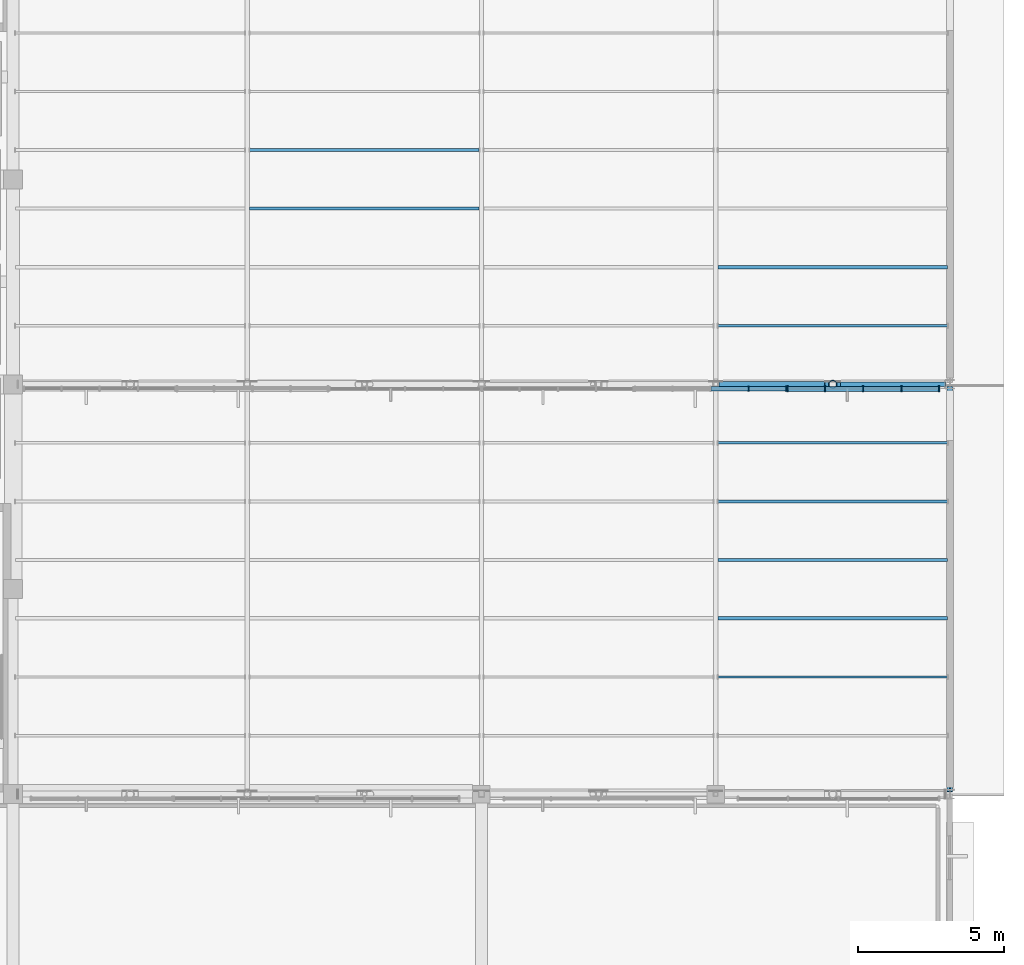
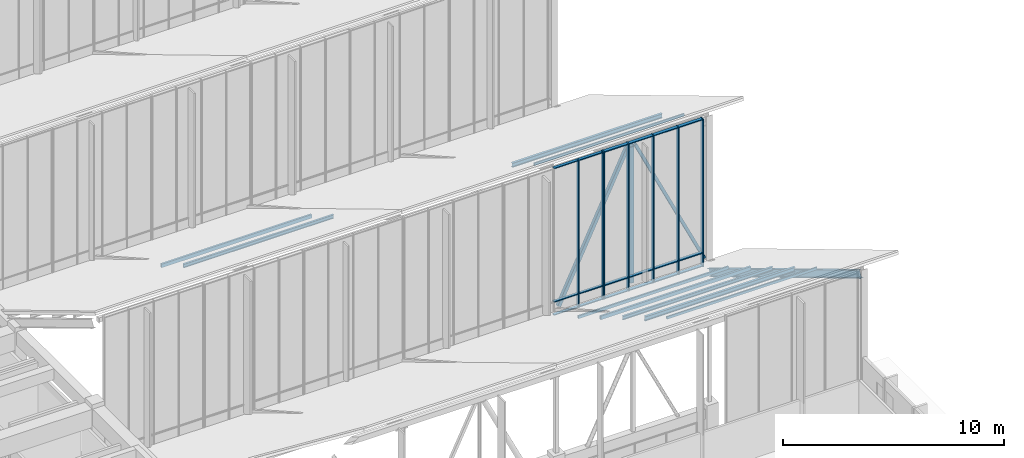
# One storey, part 44 of 155: 37 members, 1 beam, 2 elements without a shape of their own.
"""IFC4 building model written with IfcOpenShell, lengths in metres."""

from ifc_helpers import new_model, si_unit, direction, frame, origin, origin_2d, place, context, subcontext, project, spatial, rectangle, hollow_rectangle, hollow_circle, i_section, extrude, material, material_profile, profile_set, type_object, element, aggregate, save


model = new_model("IFC4")

# Units and contexts
model_context = context("Model", 3, precision=1e-05, world=origin(), true_north=direction((0.0, 1.0)))
body_context = subcontext(model_context, "Body", "Model", "MODEL_VIEW")
ifc_project = project(units=[si_unit("LENGTHUNIT", "METRE"), si_unit("AREAUNIT", "SQUARE_METRE"), si_unit("VOLUMEUNIT", "CUBIC_METRE"), si_unit("PLANEANGLEUNIT", "RADIAN"), si_unit("MASSUNIT", "GRAM", prefix="KILO")], contexts=[model_context])

# Site, building, storey
site_placement = place(None, origin())
site = spatial("IfcSite", under=ifc_project, at=site_placement, CompositionType="ELEMENT")
building_placement = place(site_placement, origin())
building = spatial("IfcBuilding", under=site, at=building_placement, Name="Larkveld Mobility Hub", CompositionType="ELEMENT")
storey_placement = place(building_placement, frame((0.0, 0.0, 8.39990234375)))
storey = spatial("IfcBuildingStorey", under=building, at=storey_placement, Name="L02", CompositionType="ELEMENT", Elevation=8.39990234375)

# Beam
ifc_material_1 = material(Name="Steel S355JR", Category="steel")
ifc_material_profile_1 = material_profile(ifc_material_1, i_section(OverallWidth=0.179931640625, OverallDepth=0.39990234375, WebThickness=0.008544921875, FlangeThickness=0.013427734375, FilletRadius=0.02099609375, at=origin_2d()), Name="IPE 400")
ifc_profile_set_1 = profile_set([ifc_material_profile_1], Name="Steel S355JR")
beam_type = type_object("IfcBeamType", Name="BM-STIPE400", PredefinedType="BEAM", material=ifc_profile_set_1)
beam_placement = place(storey_placement, frame((184.0, 28.179931640625, 7.708984375), z_axis=(0.0, 0.85749969687, -0.514484469998), x_axis=(-1.0, 0.0, 0.0)))
element("IfcBeam", 1, at=beam_placement, inside=storey, type_object=beam_type, Name="ROOF TRUSS Sawtooth Edge Rafter B1-184", PredefinedType="BEAM", context=body_context, shape_type="SweptSolid", body=[
    extrude(i_section(OverallWidth=0.179931640625, OverallDepth=0.39990234375, WebThickness=0.008544921875, FlangeThickness=0.013427734375, FilletRadius=0.02099609375, at=origin_2d()), origin(), (0.0, 0.0, 1.0), 15.906982421875),
])

# Curtain wall, members
ifc_material_2 = material(Name="Anodised aluminium 6063-T6", Category="aluminium")
curtain_wall_type_1 = type_object("IfcCurtainWallType", Name="CW-SYS-06", PredefinedType="NOTDEFINED", material=ifc_material_2)
curtain_wall_1_placement = place(storey_placement, origin())
curtain_wall_1 = element("IfcCurtainWall", 2, at=curtain_wall_1_placement, inside=storey, type_object=curtain_wall_type_1, Name="Sawtooth South-Light Clerestory B2 CW-018", PredefinedType="NOTDEFINED")
ifc_material_profile_2 = material_profile(ifc_material_2, rectangle(XDim=0.050048828125, YDim=0.179931640625, at=origin_2d()), Name="ALU MULL 50x180")
ifc_profile_set_2 = profile_set([ifc_material_profile_2], Name="Anodised aluminium 6063-T6")
member_type_1 = type_object("IfcMemberType", Name="CW-MUL-02", PredefinedType="MULLION", material=ifc_profile_set_2)
member_1_placement = place(storey_placement, frame((177.1298828125, 41.844970703125, -0.001953125), z_axis=(0.0, 0.0, 1.0), x_axis=(1.0, 0.0, 0.0)))
member_1 = element("IfcMember", 3, at=member_1_placement, type_object=member_type_1, Name="CW06 mullion 4", PredefinedType="MULLION", context=body_context, shape_type="SweptSolid", body=[
    extrude(rectangle(XDim=0.050048828125, YDim=0.179931640625, at=origin_2d()), origin(), (0.0, 0.0, 1.0), 8.152099609375),
])
member_2_placement = place(storey_placement, frame((178.408935546875, 41.844970703125, -0.001953125), z_axis=(0.0, 0.0, 1.0), x_axis=(1.0, 0.0, 0.0)))
member_2 = element("IfcMember", 4, at=member_2_placement, type_object=member_type_1, Name="CW06 mullion 5", PredefinedType="MULLION", context=body_context, shape_type="SweptSolid", body=[
    extrude(rectangle(XDim=0.050048828125, YDim=0.179931640625, at=origin_2d()), origin(), (0.0, 0.0, 1.0), 8.152099609375),
])

curtain_wall_type_2 = type_object("IfcCurtainWallType", Name="CW-SYS-07", PredefinedType="NOTDEFINED", material=ifc_material_2)
curtain_wall_2_placement = place(storey_placement, origin())
curtain_wall_2 = element("IfcCurtainWall", 5, at=curtain_wall_2_placement, inside=storey, type_object=curtain_wall_type_2, Name="Sawtooth South-Light Clerestory B2 CW-019", PredefinedType="NOTDEFINED")
ifc_material_profile_3 = material_profile(ifc_material_2, rectangle(XDim=0.050048828125, YDim=0.2099609375, at=origin_2d()), Name="ALU MULL 50x210")
ifc_profile_set_3 = profile_set([ifc_material_profile_3], Name="Anodised aluminium 6063-T6")
member_type_2 = type_object("IfcMemberType", Name="CW-MUL-03", PredefinedType="MULLION", material=ifc_profile_set_3)
member_3_placement = place(storey_placement, frame((178.4580078125, 41.844970703125, -0.001953125), z_axis=(0.0, 0.0, 1.0), x_axis=(1.0, 0.0, 0.0)))
member_3 = element("IfcMember", 6, at=member_3_placement, type_object=member_type_2, Name="CW07 mullion 1", PredefinedType="MULLION", context=body_context, shape_type="SweptSolid", body=[
    extrude(rectangle(XDim=0.050048828125, YDim=0.2099609375, at=origin_2d()), origin(), (0.0, 0.0, 1.0), 8.152099609375),
])
member_4_placement = place(storey_placement, frame((179.737060546875, 41.844970703125, -0.001953125), z_axis=(0.0, 0.0, 1.0), x_axis=(1.0, 0.0, 0.0)))
member_4 = element("IfcMember", 7, at=member_4_placement, type_object=member_type_2, Name="CW07 mullion 2", PredefinedType="MULLION", context=body_context, shape_type="SweptSolid", body=[
    extrude(rectangle(XDim=0.050048828125, YDim=0.2099609375, at=origin_2d()), origin(), (0.0, 0.0, 1.0), 8.152099609375),
])
member_5_placement = place(storey_placement, frame((181.041015625, 41.844970703125, -0.001953125), z_axis=(0.0, 0.0, 1.0), x_axis=(1.0, 0.0, 0.0)))
member_5 = element("IfcMember", 8, at=member_5_placement, type_object=member_type_2, Name="CW07 mullion 3", PredefinedType="MULLION", context=body_context, shape_type="SweptSolid", body=[
    extrude(rectangle(XDim=0.050048828125, YDim=0.2099609375, at=origin_2d()), origin(), (0.0, 0.0, 1.0), 8.152099609375),
])
member_6_placement = place(storey_placement, frame((182.344970703125, 41.844970703125, -0.001953125), z_axis=(0.0, 0.0, 1.0), x_axis=(1.0, 0.0, 0.0)))
member_6 = element("IfcMember", 9, at=member_6_placement, type_object=member_type_2, Name="CW07 mullion 4", PredefinedType="MULLION", context=body_context, shape_type="SweptSolid", body=[
    extrude(rectangle(XDim=0.050048828125, YDim=0.2099609375, at=origin_2d()), origin(), (0.0, 0.0, 1.0), 8.152099609375),
])
member_7_placement = place(storey_placement, frame((183.625, 41.844970703125, -0.001953125), z_axis=(0.0, 0.0, 1.0), x_axis=(1.0, 0.0, 0.0)))
member_7 = element("IfcMember", 10, at=member_7_placement, type_object=member_type_2, Name="CW07 mullion 5", PredefinedType="MULLION", context=body_context, shape_type="SweptSolid", body=[
    extrude(rectangle(XDim=0.050048828125, YDim=0.2099609375, at=origin_2d()), origin(), (0.0, 0.0, 1.0), 8.152099609375),
])

# Member
ifc_material_profile_4 = material_profile(ifc_material_2, rectangle(XDim=0.14990234375, YDim=0.050048828125, at=origin_2d()), Name="ALU TRAN 50x150")
ifc_profile_set_4 = profile_set([ifc_material_profile_4], Name="Anodised aluminium 6063-T6")
member_type_3 = type_object("IfcMemberType", Name="CW-TRN-02", PredefinedType="USERDEFINED", material=ifc_profile_set_4)
member_8_placement = place(storey_placement, frame((175.840087890625, 41.844970703125, 0.030029296875), z_axis=(1.0, 0.0, 0.0), x_axis=(0.0, 1.0, 0.0)))
member_8 = element("IfcMember", 11, at=member_8_placement, type_object=member_type_3, Name="CW06 transom 3.1", ObjectType="TRANSOM", PredefinedType="USERDEFINED", context=body_context, shape_type="SweptSolid", body=[
    extrude(rectangle(XDim=0.14990234375, YDim=0.050048828125, at=origin_2d()), origin(), (0.0, 0.0, 1.0), 1.27490234375),
])

member_9_placement = place(storey_placement, frame((175.840087890625, 41.844970703125, 0.75), z_axis=(1.0, 0.0, 0.0), x_axis=(0.0, 1.0, 0.0)))
member_9 = element("IfcMember", 12, at=member_9_placement, type_object=member_type_3, Name="CW06 transom 3.2", ObjectType="TRANSOM", PredefinedType="USERDEFINED", context=body_context, shape_type="SweptSolid", body=[
    extrude(rectangle(XDim=0.14990234375, YDim=0.050048828125, at=origin_2d()), origin(), (0.0, 0.0, 1.0), 1.27490234375),
])

member_10_placement = place(storey_placement, frame((175.840087890625, 41.844970703125, 8.1181640625), z_axis=(1.0, 0.0, 0.0), x_axis=(0.0, 1.0, 0.0)))
member_10 = element("IfcMember", 13, at=member_10_placement, type_object=member_type_3, Name="CW06 transom 3.3", ObjectType="TRANSOM", PredefinedType="USERDEFINED", context=body_context, shape_type="SweptSolid", body=[
    extrude(rectangle(XDim=0.14990234375, YDim=0.050048828125, at=origin_2d()), origin(), (0.0, 0.0, 1.0), 1.27490234375),
])

member_11_placement = place(storey_placement, frame((177.14501953125, 41.844970703125, 0.030029296875), z_axis=(1.0, 0.0, 0.0), x_axis=(0.0, 1.0, 0.0)))
member_11 = element("IfcMember", 14, at=member_11_placement, type_object=member_type_3, Name="CW06 transom 4.1", ObjectType="TRANSOM", PredefinedType="USERDEFINED", context=body_context, shape_type="SweptSolid", body=[
    extrude(rectangle(XDim=0.14990234375, YDim=0.050048828125, at=origin_2d()), origin(), (0.0, 0.0, 1.0), 1.25390625),
])

member_12_placement = place(storey_placement, frame((177.14501953125, 41.844970703125, 0.75), z_axis=(1.0, 0.0, 0.0), x_axis=(0.0, 1.0, 0.0)))
member_12 = element("IfcMember", 15, at=member_12_placement, type_object=member_type_3, Name="CW06 transom 4.2", ObjectType="TRANSOM", PredefinedType="USERDEFINED", context=body_context, shape_type="SweptSolid", body=[
    extrude(rectangle(XDim=0.14990234375, YDim=0.050048828125, at=origin_2d()), origin(), (0.0, 0.0, 1.0), 1.25390625),
])

member_13_placement = place(storey_placement, frame((177.14501953125, 41.844970703125, 8.1181640625), z_axis=(1.0, 0.0, 0.0), x_axis=(0.0, 1.0, 0.0)))
member_13 = element("IfcMember", 16, at=member_13_placement, type_object=member_type_3, Name="CW06 transom 4.3", ObjectType="TRANSOM", PredefinedType="USERDEFINED", context=body_context, shape_type="SweptSolid", body=[
    extrude(rectangle(XDim=0.14990234375, YDim=0.050048828125, at=origin_2d()), origin(), (0.0, 0.0, 1.0), 1.25390625),
])

aggregate(curtain_wall_1, [member_1, member_2, member_8, member_9, member_10, member_11, member_12, member_13])

ifc_material_profile_5 = material_profile(ifc_material_2, rectangle(XDim=0.169921875, YDim=0.050048828125, at=origin_2d()), Name="ALU TRAN 50x170")
ifc_profile_set_5 = profile_set([ifc_material_profile_5], Name="Anodised aluminium 6063-T6")
member_type_4 = type_object("IfcMemberType", Name="CW-TRN-03", PredefinedType="USERDEFINED", material=ifc_profile_set_5)
member_14_placement = place(storey_placement, frame((178.468017578125, 41.844970703125, 0.030029296875), z_axis=(1.0, 0.0, 0.0), x_axis=(0.0, 1.0, 0.0)))
member_14 = element("IfcMember", 17, at=member_14_placement, type_object=member_type_4, Name="CW07 transom 1.1", ObjectType="TRANSOM", PredefinedType="USERDEFINED", context=body_context, shape_type="SweptSolid", body=[
    extrude(rectangle(XDim=0.169921875, YDim=0.050048828125, at=origin_2d()), origin(), (0.0, 0.0, 1.0), 1.25390625),
])

member_15_placement = place(storey_placement, frame((178.468017578125, 41.844970703125, 0.75), z_axis=(1.0, 0.0, 0.0), x_axis=(0.0, 1.0, 0.0)))
member_15 = element("IfcMember", 18, at=member_15_placement, type_object=member_type_4, Name="CW07 transom 1.2", ObjectType="TRANSOM", PredefinedType="USERDEFINED", context=body_context, shape_type="SweptSolid", body=[
    extrude(rectangle(XDim=0.169921875, YDim=0.050048828125, at=origin_2d()), origin(), (0.0, 0.0, 1.0), 1.25390625),
])

member_16_placement = place(storey_placement, frame((178.468017578125, 41.844970703125, 8.1181640625), z_axis=(1.0, 0.0, 0.0), x_axis=(0.0, 1.0, 0.0)))
member_16 = element("IfcMember", 19, at=member_16_placement, type_object=member_type_4, Name="CW07 transom 1.3", ObjectType="TRANSOM", PredefinedType="USERDEFINED", context=body_context, shape_type="SweptSolid", body=[
    extrude(rectangle(XDim=0.169921875, YDim=0.050048828125, at=origin_2d()), origin(), (0.0, 0.0, 1.0), 1.25390625),
])

member_17_placement = place(storey_placement, frame((179.751953125, 41.844970703125, 0.030029296875), z_axis=(1.0, 0.0, 0.0), x_axis=(0.0, 1.0, 0.0)))
member_17 = element("IfcMember", 20, at=member_17_placement, type_object=member_type_4, Name="CW07 transom 2.1", ObjectType="TRANSOM", PredefinedType="USERDEFINED", context=body_context, shape_type="SweptSolid", body=[
    extrude(rectangle(XDim=0.169921875, YDim=0.050048828125, at=origin_2d()), origin(), (0.0, 0.0, 1.0), 1.27392578125),
])

member_18_placement = place(storey_placement, frame((179.751953125, 41.844970703125, 0.75), z_axis=(1.0, 0.0, 0.0), x_axis=(0.0, 1.0, 0.0)))
member_18 = element("IfcMember", 21, at=member_18_placement, type_object=member_type_4, Name="CW07 transom 2.2", ObjectType="TRANSOM", PredefinedType="USERDEFINED", context=body_context, shape_type="SweptSolid", body=[
    extrude(rectangle(XDim=0.169921875, YDim=0.050048828125, at=origin_2d()), origin(), (0.0, 0.0, 1.0), 1.27392578125),
])

member_19_placement = place(storey_placement, frame((179.751953125, 41.844970703125, 8.1181640625), z_axis=(1.0, 0.0, 0.0), x_axis=(0.0, 1.0, 0.0)))
member_19 = element("IfcMember", 22, at=member_19_placement, type_object=member_type_4, Name="CW07 transom 2.3", ObjectType="TRANSOM", PredefinedType="USERDEFINED", context=body_context, shape_type="SweptSolid", body=[
    extrude(rectangle(XDim=0.169921875, YDim=0.050048828125, at=origin_2d()), origin(), (0.0, 0.0, 1.0), 1.27392578125),
])

member_20_placement = place(storey_placement, frame((181.055908203125, 41.844970703125, 0.030029296875), z_axis=(1.0, 0.0, 0.0), x_axis=(0.0, 1.0, 0.0)))
member_20 = element("IfcMember", 23, at=member_20_placement, type_object=member_type_4, Name="CW07 transom 3.1", ObjectType="TRANSOM", PredefinedType="USERDEFINED", context=body_context, shape_type="SweptSolid", body=[
    extrude(rectangle(XDim=0.169921875, YDim=0.050048828125, at=origin_2d()), origin(), (0.0, 0.0, 1.0), 1.275146484375),
])

member_21_placement = place(storey_placement, frame((181.055908203125, 41.844970703125, 0.75), z_axis=(1.0, 0.0, 0.0), x_axis=(0.0, 1.0, 0.0)))
member_21 = element("IfcMember", 24, at=member_21_placement, type_object=member_type_4, Name="CW07 transom 3.2", ObjectType="TRANSOM", PredefinedType="USERDEFINED", context=body_context, shape_type="SweptSolid", body=[
    extrude(rectangle(XDim=0.169921875, YDim=0.050048828125, at=origin_2d()), origin(), (0.0, 0.0, 1.0), 1.275146484375),
])

member_22_placement = place(storey_placement, frame((181.055908203125, 41.844970703125, 8.1181640625), z_axis=(1.0, 0.0, 0.0), x_axis=(0.0, 1.0, 0.0)))
member_22 = element("IfcMember", 25, at=member_22_placement, type_object=member_type_4, Name="CW07 transom 3.3", ObjectType="TRANSOM", PredefinedType="USERDEFINED", context=body_context, shape_type="SweptSolid", body=[
    extrude(rectangle(XDim=0.169921875, YDim=0.050048828125, at=origin_2d()), origin(), (0.0, 0.0, 1.0), 1.275146484375),
])

member_23_placement = place(storey_placement, frame((182.361083984375, 41.844970703125, 0.030029296875), z_axis=(1.0, 0.0, 0.0), x_axis=(0.0, 1.0, 0.0)))
member_23 = element("IfcMember", 26, at=member_23_placement, type_object=member_type_4, Name="CW07 transom 4.1", ObjectType="TRANSOM", PredefinedType="USERDEFINED", context=body_context, shape_type="SweptSolid", body=[
    extrude(rectangle(XDim=0.169921875, YDim=0.050048828125, at=origin_2d()), origin(), (0.0, 0.0, 1.0), 1.25390625),
])

member_24_placement = place(storey_placement, frame((182.361083984375, 41.844970703125, 0.75), z_axis=(1.0, 0.0, 0.0), x_axis=(0.0, 1.0, 0.0)))
member_24 = element("IfcMember", 27, at=member_24_placement, type_object=member_type_4, Name="CW07 transom 4.2", ObjectType="TRANSOM", PredefinedType="USERDEFINED", context=body_context, shape_type="SweptSolid", body=[
    extrude(rectangle(XDim=0.169921875, YDim=0.050048828125, at=origin_2d()), origin(), (0.0, 0.0, 1.0), 1.25390625),
])

member_25_placement = place(storey_placement, frame((182.361083984375, 41.844970703125, 8.1181640625), z_axis=(1.0, 0.0, 0.0), x_axis=(0.0, 1.0, 0.0)))
member_25 = element("IfcMember", 28, at=member_25_placement, type_object=member_type_4, Name="CW07 transom 4.3", ObjectType="TRANSOM", PredefinedType="USERDEFINED", context=body_context, shape_type="SweptSolid", body=[
    extrude(rectangle(XDim=0.169921875, YDim=0.050048828125, at=origin_2d()), origin(), (0.0, 0.0, 1.0), 1.25390625),
])

aggregate(curtain_wall_2, [member_3, member_4, member_5, member_6, member_7, member_14, member_15, member_16, member_17, member_18, member_19, member_20, member_21, member_22, member_23, member_24, member_25])

# Members
ifc_material_profile_6 = material_profile(ifc_material_1, hollow_circle(Radius=0.136474609375, WallThickness=0.012451171875, at=origin_2d()), Name="CHS 273x12.5")
ifc_profile_set_6 = profile_set([ifc_material_profile_6], Name="Steel S355JR")
member_type_5 = type_object("IfcMemberType", Name="MB-BR-CHS273", PredefinedType="BRACE", material=ifc_profile_set_6)
member_26_placement = place(storey_placement, frame((180.0, 42.0, 0.300048828125), z_axis=(0.0, 0.0, 1.0), x_axis=(1.0, 0.0, 0.0)))
element("IfcMember", 29, at=member_26_placement, inside=storey, type_object=member_type_5, Name="ROOF TRUSS T2 Vertical Post 7", PredefinedType="BRACE", context=body_context, shape_type="SweptSolid", body=[
    extrude(hollow_circle(Radius=0.136474609375, WallThickness=0.012451171875, at=origin_2d()), origin(), (0.0, 0.0, 1.0), 7.525146484375),
])
ifc_material_profile_7 = material_profile(ifc_material_1, hollow_rectangle(XDim=0.14990234375, YDim=0.14990234375, WallThickness=0.008056640625, at=origin_2d()), Name="SHS 150x150x8")
ifc_profile_set_7 = profile_set([ifc_material_profile_7], Name="Steel S355JR")
member_type_6 = type_object("IfcMemberType", Name="MB-BR-SHS150", PredefinedType="BRACE", material=ifc_profile_set_7)
member_27_placement = place(storey_placement, frame((180.199951171875, 42.0, 7.8251953125), z_axis=(0.43156423058, 0.0, -0.902082210712), x_axis=(0.0, 1.0, 0.0)))
element("IfcMember", 30, at=member_27_placement, inside=storey, type_object=member_type_6, Name="ROOF TRUSS T2 Web Diagonal 8", PredefinedType="BRACE", context=body_context, shape_type="SweptSolid", body=[
    extrude(hollow_rectangle(XDim=0.14990234375, YDim=0.14990234375, WallThickness=0.008056640625, at=origin_2d()), origin(), (0.0, 0.0, 1.0), 8.342041015625),
])
ifc_material_profile_8 = material_profile(ifc_material_1, hollow_rectangle(XDim=0.179931640625, YDim=0.179931640625, WallThickness=0.010009765625, at=origin_2d()), Name="SHS 180x180x10")
ifc_profile_set_8 = profile_set([ifc_material_profile_8], Name="Steel S355JR")
member_type_7 = type_object("IfcMemberType", Name="MB-BR-SHS180", PredefinedType="BRACE", material=ifc_profile_set_8)
member_28_placement = place(storey_placement, frame((176.199951171875, 42.0, 0.300048828125), z_axis=(0.43156423058, 0.0, 0.902082210712), x_axis=(0.0, 1.0, 0.0)))
element("IfcMember", 31, at=member_28_placement, inside=storey, type_object=member_type_7, Name="ROOF TRUSS T2 Web Diagonal 7", PredefinedType="BRACE", context=body_context, shape_type="SweptSolid", body=[
    extrude(hollow_rectangle(XDim=0.179931640625, YDim=0.179931640625, WallThickness=0.010009765625, at=origin_2d()), origin(), (0.0, 0.0, 1.0), 8.342041015625),
])
ifc_material_profile_9 = material_profile(ifc_material_1, i_section(OverallWidth=0.10009765625, OverallDepth=0.199951171875, WebThickness=0.005615234375, FlangeThickness=0.008544921875, FilletRadius=0.011962890625, at=origin_2d()), Name="IPE 200")
ifc_profile_set_9 = profile_set([ifc_material_profile_9], Name="Steel S355JR")
member_type_8 = type_object("IfcMemberType", Name="MB-PR-IPE200", PredefinedType="PURLIN", material=ifc_profile_set_9)
for number, where, z_axis, x_axis, name in (
    (32, (176.080078125, 36.0, 3.30712890625), (1.0, 0.0, 0.0), (0.0, 1.0, 0.0), "Sawtooth Roof Purlin B1-4.4"),
    (33, (160.080078125, 48.0, 4.507080078125), (1.0, 0.0, 0.0), (0.0, 1.0, 0.0), "Sawtooth Roof Purlin B2-3.2"),
):
    element("IfcMember", number, at=place(storey_placement, frame(where, z_axis=z_axis, x_axis=x_axis)), inside=storey, type_object=member_type_8, Name=name, PredefinedType="PURLIN", context=body_context, shape_type="SweptSolid", body=[
        extrude(i_section(OverallWidth=0.10009765625, OverallDepth=0.199951171875, WebThickness=0.005615234375, FlangeThickness=0.008544921875, FilletRadius=0.011962890625, at=origin_2d()), origin(), (0.0, 0.0, 1.0), 7.83984375),
    ])
ifc_material_profile_10 = material_profile(ifc_material_1, i_section(OverallWidth=0.1201171875, OverallDepth=0.239990234375, WebThickness=0.006103515625, FlangeThickness=0.009765625, FilletRadius=0.014892578125, at=origin_2d()), Name="IPE 240")
ifc_profile_set_10 = profile_set([ifc_material_profile_10], Name="Steel S355JR")
member_type_9 = type_object("IfcMemberType", Name="MB-PR-IPE240", PredefinedType="PURLIN", material=ifc_profile_set_10)
for number, where, z_axis, x_axis, name in (
    (34, (176.080078125, 34.0, 4.487060546875), (1.0, 0.0, 0.0), (0.0, 1.0, 0.0), "Sawtooth Roof Purlin B1-3.4"),
    (35, (176.080078125, 46.0, 5.68701171875), (1.0, 0.0, 0.0), (0.0, 1.0, 0.0), "Sawtooth Roof Purlin B2-2.4"),
):
    element("IfcMember", number, at=place(storey_placement, frame(where, z_axis=z_axis, x_axis=x_axis)), inside=storey, type_object=member_type_9, Name=name, PredefinedType="PURLIN", context=body_context, shape_type="SweptSolid", body=[
        extrude(i_section(OverallWidth=0.1201171875, OverallDepth=0.239990234375, WebThickness=0.006103515625, FlangeThickness=0.009765625, FilletRadius=0.014892578125, at=origin_2d()), origin(), (0.0, 0.0, 1.0), 7.83984375),
    ])
ifc_material_profile_11 = material_profile(ifc_material_1, hollow_rectangle(XDim=0.070068359375, YDim=0.139892578125, WallThickness=0.00634765625, at=origin_2d()), Name="RHS 140x70x6.3")
ifc_profile_set_11 = profile_set([ifc_material_profile_11], Name="Steel S355JR")
member_type_10 = type_object("IfcMemberType", Name="MB-PR-RHS140", PredefinedType="PURLIN", material=ifc_profile_set_11)
for number, where, z_axis, x_axis, name in (
    (36, (176.080078125, 32.0, 5.737060546875), (1.0, 0.0, 0.0), (0.0, 1.0, 0.0), "Sawtooth Roof Purlin B1-2.4"),
    (37, (176.080078125, 44.0, 6.93701171875), (1.0, 0.0, 0.0), (0.0, 1.0, 0.0), "Sawtooth Roof Purlin B2-1.4"),
):
    element("IfcMember", number, at=place(storey_placement, frame(where, z_axis=z_axis, x_axis=x_axis)), inside=storey, type_object=member_type_10, Name=name, PredefinedType="PURLIN", context=body_context, shape_type="SweptSolid", body=[
        extrude(hollow_rectangle(XDim=0.070068359375, YDim=0.139892578125, WallThickness=0.00634765625, at=origin_2d()), origin(), (0.0, 0.0, 1.0), 7.83984375),
    ])
ifc_material_profile_12 = material_profile(ifc_material_1, hollow_rectangle(XDim=0.080078125, YDim=0.159912109375, WallThickness=0.008056640625, at=origin_2d()), Name="RHS 160x80x8")
ifc_profile_set_12 = profile_set([ifc_material_profile_12], Name="Steel S355JR")
member_type_11 = type_object("IfcMemberType", Name="MB-PR-RHS160", PredefinedType="PURLIN", material=ifc_profile_set_12)
member_29_placement = place(storey_placement, frame((176.080078125, 40.0, 0.927001953125), z_axis=(1.0, 0.0, 0.0), x_axis=(0.0, 1.0, 0.0)))
element("IfcMember", 38, at=member_29_placement, inside=storey, type_object=member_type_11, Name="Sawtooth Roof Purlin B1-6.4", PredefinedType="PURLIN", context=body_context, shape_type="SweptSolid", body=[
    extrude(hollow_rectangle(XDim=0.080078125, YDim=0.159912109375, WallThickness=0.008056640625, at=origin_2d()), origin(), (0.0, 0.0, 1.0), 7.83984375),
])
ifc_material_profile_13 = material_profile(ifc_material_1, hollow_rectangle(XDim=0.10009765625, YDim=0.199951171875, WallThickness=0.008056640625, at=origin_2d()), Name="RHS 200x100x8")
ifc_profile_set_13 = profile_set([ifc_material_profile_13], Name="Steel S355JR")
member_type_12 = type_object("IfcMemberType", Name="MB-PR-RHS200", PredefinedType="PURLIN", material=ifc_profile_set_13)
for number, where, z_axis, x_axis, name in (
    (39, (176.080078125, 38.0, 2.107177734375), (1.0, 0.0, 0.0), (0.0, 1.0, 0.0), "Sawtooth Roof Purlin B1-5.4"),
    (40, (160.080078125, 50.0, 3.30712890625), (1.0, 0.0, 0.0), (0.0, 1.0, 0.0), "Sawtooth Roof Purlin B2-4.2"),
):
    element("IfcMember", number, at=place(storey_placement, frame(where, z_axis=z_axis, x_axis=x_axis)), inside=storey, type_object=member_type_12, Name=name, PredefinedType="PURLIN", context=body_context, shape_type="SweptSolid", body=[
        extrude(hollow_rectangle(XDim=0.10009765625, YDim=0.199951171875, WallThickness=0.008056640625, at=origin_2d()), origin(), (0.0, 0.0, 1.0), 7.83984375),
    ])

save(model, "model.ifc")
